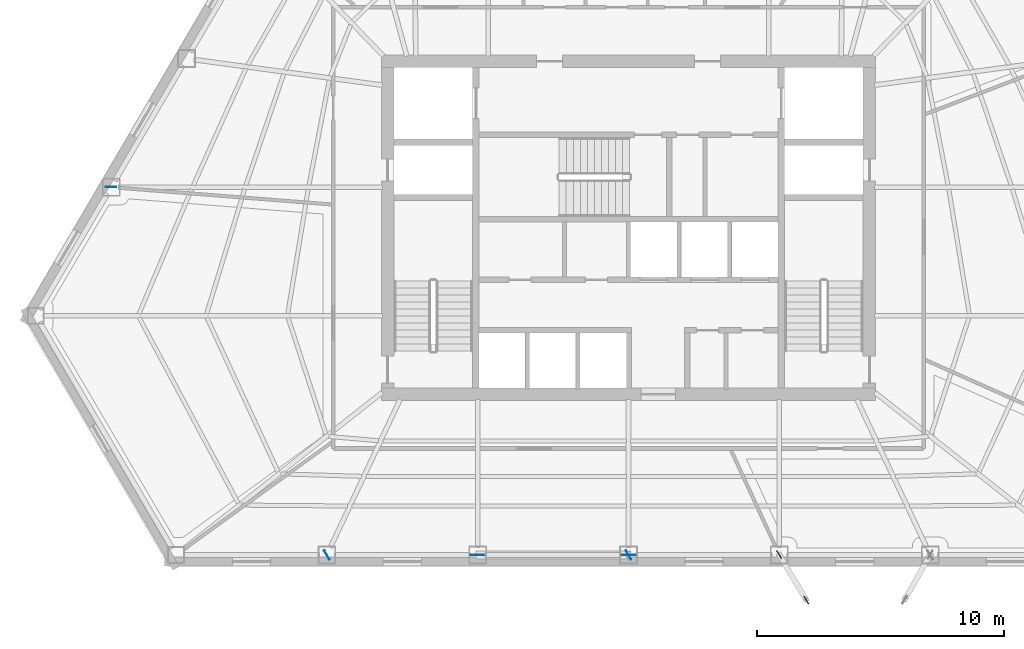
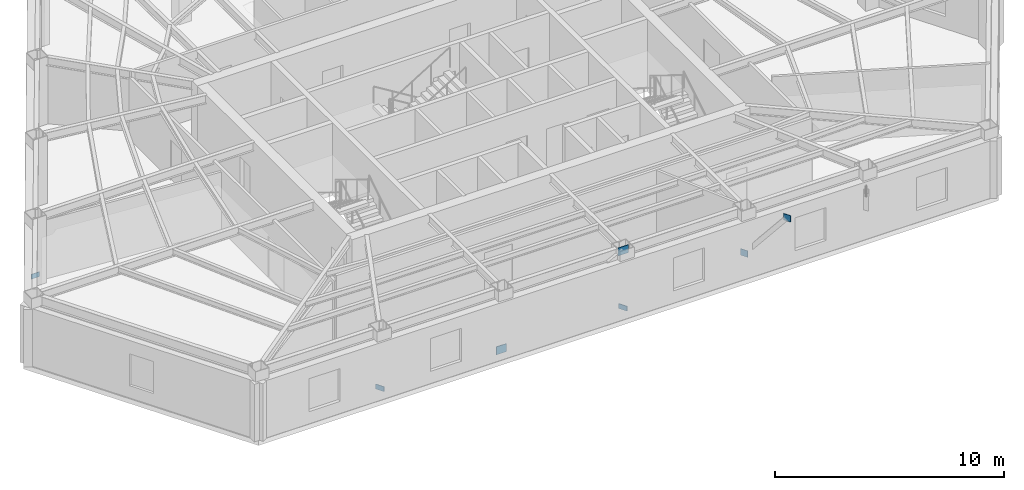
# One storey, part 4 of 13: 7 plates.
"""IFC4 building model written with IfcOpenShell, lengths in metres."""

import ifcopenshell
import ifcopenshell.guid

model = None  # the IFC model being written
_history = None  # IfcOwnerHistory: only IFC2X3 demands one
_inside = {}  # id of a spatial element -> (the spatial element, [elements in it])
_under = {}  # id of a project, library or spatial element -> (it, [spatial elements below it])
_declared = {}  # id of a project -> (the project, [libraries it declares])
_typed = {}  # id of a type object -> (the type object, [elements of that type])
_made_of = {}  # id of a material, layer set ... -> (it, [elements and type objects made of it])


def new_model(schema):
    """Start an empty IFC model of exactly this schema.

    Asked for "IFC4X3", IfcOpenShell would pick the latest addendum, in which some entities
    have other attributes; the version numbers below select the first issue.
    IFC2X3 requires an IfcOwnerHistory on every rooted entity: one is made here for all.
    """
    global model, _history
    if schema == "IFC4X3":
        model = ifcopenshell.file(schema_version=(4, 3, 0, 0))
    else:
        model = ifcopenshell.file(schema=schema)
    _inside.clear()
    _under.clear()
    _declared.clear()
    _typed.clear()
    _made_of.clear()
    _history = None
    if model.schema == "IFC2X3":
        org = make("IfcOrganization", Name="unknown")
        user = make(
            "IfcPersonAndOrganization",
            ThePerson=make("IfcPerson", FamilyName="unknown"),
            TheOrganization=org,
        )
        app = make(
            "IfcApplication",
            ApplicationDeveloper=org,
            Version="unknown",
            ApplicationFullName="unknown",
            ApplicationIdentifier="unknown",
        )
        _history = make(
            "IfcOwnerHistory",
            OwningUser=user,
            OwningApplication=app,
            ChangeAction="ADDED",
            CreationDate=0,
        )
    return model


def make(cls, **values):
    """One entity of the class cls with the attributes given. An attribute that is None is left unset."""
    return model.create_entity(
        cls, **{name: value for name, value in values.items() if value is not None}
    )


def rooted(cls, **values):
    """An entity with a GlobalId (a new one), such as an element, a storey or a relation."""
    return make(cls, GlobalId=ifcopenshell.guid.new(), OwnerHistory=_history, **values)


def si_unit(unit_type, name, prefix=None):
    """IfcSIUnit, for example si_unit("LENGTHUNIT", "METRE", prefix="MILLI")."""
    return make("IfcSIUnit", UnitType=unit_type, Prefix=prefix, Name=name)


def assignment(units):
    """IfcUnitAssignment: the units of a project."""
    return None if units is None else make("IfcUnitAssignment", Units=units)


def point(xyz):
    """IfcCartesianPoint."""
    return None if xyz is None else make("IfcCartesianPoint", Coordinates=xyz)


def direction(xyz):
    """IfcDirection."""
    return None if xyz is None else make("IfcDirection", DirectionRatios=xyz)


def frame(location, z_axis=None, x_axis=None):
    """IfcAxis2Placement3D, a coordinate frame: its origin and axes. An axis left out is left unset."""
    return make(
        "IfcAxis2Placement3D",
        Location=point(location),
        Axis=direction(z_axis),
        RefDirection=direction(x_axis),
    )


def frame_2d(location, x_axis=None):
    """IfcAxis2Placement2D, a coordinate frame in the plane: its origin and x axis."""
    return make(
        "IfcAxis2Placement2D", Location=point(location), RefDirection=direction(x_axis)
    )


def origin():
    """The frame at (0, 0, 0) with its axes left unset."""
    return frame((0.0, 0.0, 0.0))


def origin_2d():
    """The frame at (0, 0) in the plane with its x axis left unset."""
    return frame_2d((0.0, 0.0))


def place(relative_to, where):
    """IfcLocalPlacement: puts the frame where relative to a parent placement (None: the world)."""
    return make(
        "IfcLocalPlacement", PlacementRelTo=relative_to, RelativePlacement=where
    )


def context(
    kind, dimensions, precision=None, world=None, true_north=None, identifier=None
):
    """IfcGeometricRepresentationContext, for example the 3D "Model" context."""
    return make(
        "IfcGeometricRepresentationContext",
        ContextIdentifier=identifier,
        ContextType=kind,
        CoordinateSpaceDimension=dimensions,
        Precision=precision,
        WorldCoordinateSystem=world,
        TrueNorth=true_north,
    )


def subcontext(parent, identifier, kind, view, scale=None):
    """IfcGeometricRepresentationSubContext, for example "Body" below "Model"."""
    return make(
        "IfcGeometricRepresentationSubContext",
        ContextIdentifier=identifier,
        ContextType=kind,
        ParentContext=parent,
        TargetScale=scale,
        TargetView=view,
    )


def project(units=None, contexts=None):
    """IfcProject with its units and contexts."""
    return rooted(
        "IfcProject",
        Name="project",
        RepresentationContexts=contexts,
        UnitsInContext=assignment(units),
    )


def spatial(cls, under=None, at=None, **own):
    """A site, building, storey or space (cls), placed at a placement, below another one or the project."""
    s = rooted(cls, ObjectPlacement=at, **own)
    if under is not None:
        _under.setdefault(under.id(), (under, []))[1].append(s)
    return s


def profile(cls, at=None, kind="AREA", **sizes):
    """A parametric profile (cls). Its sizes go by their IFC names, for example OverallWidth=200.0."""
    return make(cls, ProfileType=kind, Position=at, **sizes)


def rectangle(**sizes):
    """IfcRectangleProfileDef."""
    return profile("IfcRectangleProfileDef", **sizes)


def extrude(swept, where, along, depth):
    """IfcExtrudedAreaSolid: the profile swept, set in the frame where, extruded along a direction by depth."""
    return make(
        "IfcExtrudedAreaSolid",
        SweptArea=swept,
        Position=where,
        ExtrudedDirection=direction(along),
        Depth=depth,
    )


def shape(context_of_items, identifier, shape_type, items):
    """IfcShapeRepresentation: the items that make up one representation, for example the "Body"."""
    return make(
        "IfcShapeRepresentation",
        ContextOfItems=context_of_items,
        RepresentationIdentifier=identifier,
        RepresentationType=shape_type,
        Items=items,
    )


def material(Name=None, Category=None):
    """IfcMaterial."""
    return make("IfcMaterial", Name=Name, Category=Category)


def layer(
    of_material, thickness, ventilated=None, Name=None, Category=None, Priority=None
):
    """IfcMaterialLayer: one layer of a wall or slab, of a material (None: an air gap)."""
    return make(
        "IfcMaterialLayer",
        Material=of_material,
        LayerThickness=thickness,
        IsVentilated=ventilated,
        Name=Name,
        Category=Category,
        Priority=Priority,
    )


def layer_set(layers, Name=None):
    """IfcMaterialLayerSet."""
    return make("IfcMaterialLayerSet", MaterialLayers=layers, LayerSetName=Name)


def made_of(thing, what):
    """Note that an element or type object is made of a material, layer set ...; save() writes the relation."""
    if what is not None:
        _made_of.setdefault(what.id(), (what, []))[1].append(thing)
    return thing


def type_object(cls, material=None, **own):
    """A type object (cls), such as IfcWallType, which elements share."""
    return made_of(rooted(cls, **own), material)


def element(
    cls,
    number,
    at=None,
    inside=None,
    cuts=None,
    type_object=None,
    material=None,
    context=None,
    identifier="Body",
    shape_type=None,
    held_by="IfcProductDefinitionShape",
    body=None,
    shapes=None,
    **own,
):
    """One element of the class cls, such as IfcWall. Its Tag is "e" and its number.

    at: its placement. inside: the storey or other place that contains it. cuts: it is an
    opening in that element (IfcRelVoidsElement). A single representation is given by context,
    identifier, shape_type and body (its items); several are given by shapes. held_by: the class
    of the entity that holds the representations. save() writes the other relations.
    """
    e = rooted(cls, Tag="e%d" % number, ObjectPlacement=at, **own)
    if body is not None:
        shapes = [shape(context, identifier, shape_type, body)]
    if shapes is not None:
        e.Representation = make(held_by, Representations=shapes)
    if inside is not None:
        _inside.setdefault(inside.id(), (inside, []))[1].append(e)
    if cuts is not None:
        rooted(
            "IfcRelVoidsElement", RelatingBuildingElement=cuts, RelatedOpeningElement=e
        )
    if type_object is not None:
        _typed.setdefault(type_object.id(), (type_object, []))[1].append(e)
    return made_of(e, material)


def aggregate(whole, parts):
    """IfcRelAggregates: a whole, such as a stair, and the parts it consists of."""
    return rooted("IfcRelAggregates", RelatingObject=whole, RelatedObjects=parts)


def save(model, path):
    """Write the relations noted so far, then the file.

    IfcRelAggregates (storeys below a building ...), IfcRelContainedInSpatialStructure (elements
    in a storey), IfcRelDefinesByType, IfcRelAssociatesMaterial and IfcRelDeclares: one each for
    every whole, place, type object, material and project.
    """
    for whole, parts in _under.values():
        aggregate(whole, parts)
    for where, things in _inside.values():
        rooted(
            "IfcRelContainedInSpatialStructure",
            RelatedElements=things,
            RelatingStructure=where,
        )
    for kind, things in _typed.values():
        rooted("IfcRelDefinesByType", RelatedObjects=things, RelatingType=kind)
    for what, things in _made_of.values():
        rooted("IfcRelAssociatesMaterial", RelatedObjects=things, RelatingMaterial=what)
    for by, libraries in _declared.values():
        rooted("IfcRelDeclares", RelatingContext=by, RelatedDefinitions=libraries)
    model.write(path)


model = new_model("IFC4")

# Units and contexts
model_context = context("Model", 3, precision=1e-05, world=origin(), true_north=direction((0.0, 1.0)))
body_context = subcontext(model_context, "Body", "Model", "MODEL_VIEW")
ifc_project = project(units=[si_unit("LENGTHUNIT", "METRE"), si_unit("AREAUNIT", "SQUARE_METRE"), si_unit("VOLUMEUNIT", "CUBIC_METRE"), si_unit("PLANEANGLEUNIT", "RADIAN"), si_unit("MASSUNIT", "GRAM", prefix="KILO")], contexts=[model_context])

# Site, building, storey
site_placement = place(None, origin())
site = spatial("IfcSite", under=ifc_project, at=site_placement, CompositionType="ELEMENT")
building_placement = place(site_placement, origin())
building = spatial("IfcBuilding", under=site, at=building_placement, Name="Kavelnor Concourse Tower", CompositionType="ELEMENT")
storey_placement = place(building_placement, frame((0.0, 0.0, 131.699951171875)))
storey = spatial("IfcBuildingStorey", under=building, at=storey_placement, Name="L33", CompositionType="ELEMENT", Elevation=131.699951171875)

# Plates
ifc_material = material(Name="Steel Grade 350", Category="steel")
ifc_layer_1 = layer(ifc_material, 0.028076171875, Name="Steel Grade 350")
ifc_layer_set_1 = layer_set([ifc_layer_1], Name="Steel Grade 350")
plate_type_1 = type_object("IfcPlateType", Name="PL-GUSSET-FOLD", PredefinedType="USERDEFINED", material=ifc_layer_set_1)
for number, where, z_axis, x_axis, name in (
    (1, (44.11083984375, 2.843994140625, 0.8798828125), (0.0, 0.0, 1.0), (0.512342667236, -0.858781107925, 0.0), "L33 Balcony Strut Gusset GP4 1-A End Gusset A"),
    (2, (45.2099609375, 1.001708984375, 3.48486328125), (0.0, 0.0, 1.0), (0.512342667236, -0.858781107925, 0.0), "L33 Balcony Strut Gusset GP4 1-A End Gusset B"),
):
    element("IfcPlate", number, at=place(storey_placement, frame(where, z_axis=z_axis, x_axis=x_axis)), inside=storey, type_object=plate_type_1, Name=name, ObjectType="GUSSET_PLATE", PredefinedType="USERDEFINED", context=body_context, shape_type="SweptSolid", body=[
        extrude(rectangle(XDim=0.360107421875, YDim=0.028076171875, at=origin_2d()), origin(), (0.0, 0.0, 1.0), 0.340087890625),
    ])
ifc_layer_2 = layer(ifc_material, 0.031982421875, Name="Steel Grade 350")
ifc_layer_set_2 = layer_set([ifc_layer_2], Name="Steel Grade 350")
plate_type_2 = type_object("IfcPlateType", Name="PL-GUSSET-TUBE-Z1", PredefinedType="USERDEFINED", material=ifc_layer_set_2)
for number, where, z_axis, x_axis, name in (
    (3, (31.87109375, 2.833740234375, 0.010009765625), (0.0, 0.0, 1.0), (1.0, 0.0, 0.0), "L33 Tube Brace Gusset GP3 F1-B2 End Gusset A"),
    (4, (38.011962890625, 2.833740234375, 3.12353515625), (0.0, 0.0, 1.0), (1.0, 0.0, 0.0), "L33 Tube Brace Gusset GP3 F1-B2 End Gusset B"),
):
    element("IfcPlate", number, at=place(storey_placement, frame(where, z_axis=z_axis, x_axis=x_axis)), inside=storey, type_object=plate_type_2, Name=name, ObjectType="GUSSET_PLATE", PredefinedType="USERDEFINED", context=body_context, shape_type="SweptSolid", body=[
        extrude(rectangle(XDim=0.52001953125, YDim=0.031982421875, at=origin_2d()), origin(), (0.0, 0.0, 1.0), 0.419921875),
    ])
ifc_layer_3 = layer(ifc_material, 0.02490234375, Name="Steel Grade 350")
ifc_layer_set_3 = layer_set([ifc_layer_3], Name="Steel Grade 350")
plate_type_3 = type_object("IfcPlateType", Name="PL-SPLICE-FLANGE", PredefinedType="SHEET", material=ifc_layer_set_3)
for number, where, z_axis, x_axis, name in (
    (5, (17.018798828125, 17.747314453125, 0.169921875), (0.0, 0.0, 1.0), (1.0, 0.0, 0.0), "L33 Column Flange Splice Plate F0-B5"),
    (6, (25.765869140625, 2.833740234375, 0.169921875), (0.0, 0.0, 1.0), (-0.5, 0.866025403784, 0.0), "L33 Column Flange Splice Plate F1-B1"),
    (7, (38.0, 2.833740234375, 0.169921875), (0.0, 0.0, 1.0), (-0.5, 0.866025403784, 0.0), "L33 Column Flange Splice Plate F1-B3"),
):
    element("IfcPlate", number, at=place(storey_placement, frame(where, z_axis=z_axis, x_axis=x_axis)), inside=storey, type_object=plate_type_3, Name=name, PredefinedType="SHEET", context=body_context, shape_type="SweptSolid", body=[
        extrude(rectangle(XDim=0.419921875, YDim=0.02490234375, at=origin_2d()), origin(), (0.0, 0.0, 1.0), 0.260009765625),
    ])

save(model, "model.ifc")
